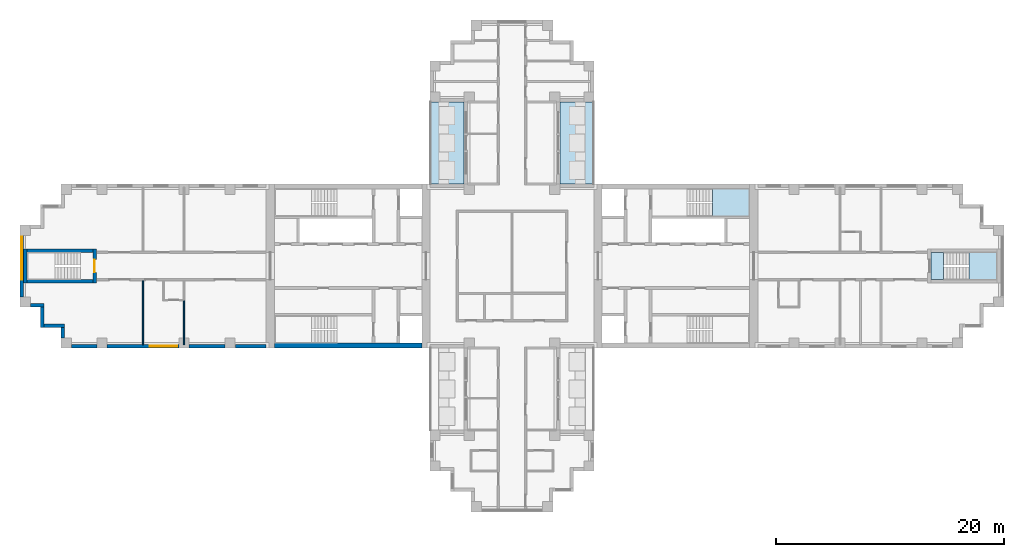
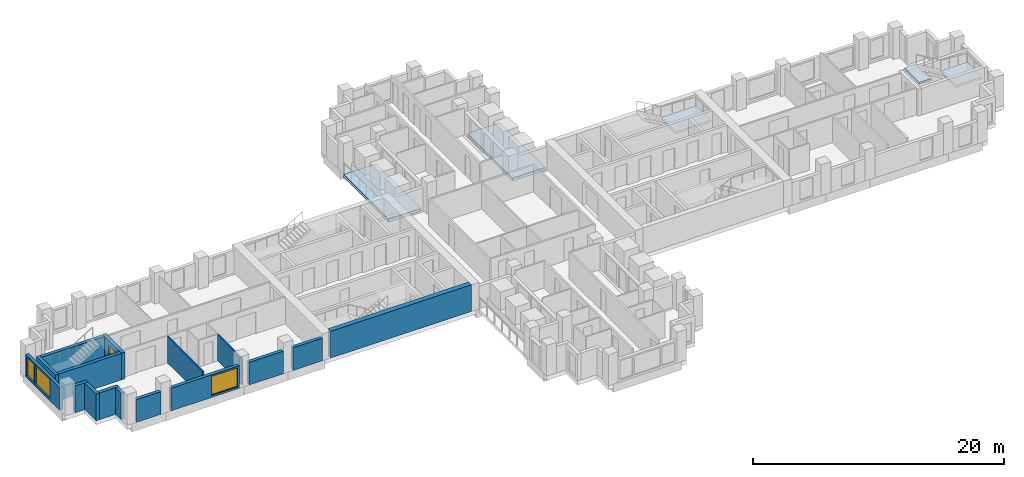
# One storey, part 2 of 12: 16 walls, 5 slabs, 3 windows, 1 door, 4 openings, 2 elements without a shape of their own.
"""IFC4 building model written with IfcOpenShell, lengths in metres."""

from ifc_helpers import new_model, si_unit, direction, frame, frame_2d, origin, place, context, subcontext, project, spatial, polyline, rectangle, outline, extrude, material, layer, layer_set, type_object, element, fill, aggregate, save


model = new_model("IFC4")

# Units and contexts
model_context = context("Model", 3, precision=1e-05, world=origin(), true_north=direction((0.0, 1.0)))
body_context = subcontext(model_context, "Body", "Model", "MODEL_VIEW")
ifc_project = project(units=[si_unit("LENGTHUNIT", "METRE"), si_unit("AREAUNIT", "SQUARE_METRE"), si_unit("VOLUMEUNIT", "CUBIC_METRE"), si_unit("PLANEANGLEUNIT", "RADIAN"), si_unit("MASSUNIT", "GRAM", prefix="KILO")], contexts=[model_context])

# Site, building, storey
site_placement = place(None, origin())
site = spatial("IfcSite", under=ifc_project, at=site_placement, CompositionType="ELEMENT")
building_placement = place(site_placement, origin())
building = spatial("IfcBuilding", under=site, at=building_placement, Name="Fustian Cross Tower", CompositionType="ELEMENT")
storey_placement = place(building_placement, frame((0.0, 0.0, 156.300048828125)))
storey = spatial("IfcBuildingStorey", under=building, at=storey_placement, Name="L49", CompositionType="ELEMENT", Elevation=156.300048828125)

# Slabs
ifc_material_1 = material(Name="Concrete C40/50", Category="concrete")
ifc_layer_1 = layer(ifc_material_1, 0.300048828125)
ifc_layer_set_1 = layer_set([ifc_layer_1], Name="Concrete C40/50")
slab_type_1 = type_object("IfcSlabType", Name="BS1 BALCONY SLAB 300", PredefinedType="FLOOR", material=ifc_layer_set_1)
slab_1_placement = place(storey_placement, frame((0.0, 0.0, -0.300048828125)))
element("IfcSlab", 1, at=slab_1_placement, inside=storey, type_object=slab_type_1, Name="Balcony slab", PredefinedType="FLOOR", context=body_context, shape_type="SweptSolid", body=[
    extrude(outline(polyline([(4.199951171875, 7.199951171875), (7.199951171875, 7.199951171875), (7.199951171875, 14.39990234375), (4.199951171875, 14.39990234375), (4.199951171875, 7.199951171875)])), origin(), (0.0, 0.0, 1.0), 0.300048828125),
])
slab_2_placement = place(storey_placement, frame((0.0, 0.0, -0.300048828125)))
element("IfcSlab", 2, at=slab_2_placement, inside=storey, type_object=slab_type_1, Name="Balcony slab", PredefinedType="FLOOR", context=body_context, shape_type="SweptSolid", body=[
    extrude(outline(polyline([(-7.199951171875, 7.199951171875), (-4.199951171875, 7.199951171875), (-4.199951171875, 14.39990234375), (-7.199951171875, 14.39990234375), (-7.199951171875, 7.199951171875)])), origin(), (0.0, 0.0, 1.0), 0.300048828125),
])

# Stair, slab
ifc_material_2 = material(Name="Concrete C50/60", Category="concrete")
stair_type_1 = type_object("IfcStairType", Name="STAIR 1150 HALF TURN", PredefinedType="HALF_TURN_STAIR", material=ifc_material_2)
stair_1_placement = place(storey_placement, origin())
stair_1 = element("IfcStair", 3, at=stair_1_placement, inside=storey, type_object=stair_type_1, Name="Stair ST1", PredefinedType="HALF_TURN_STAIR")
ifc_material_3 = material(Name="Concrete C50/60", Category="concrete")
ifc_layer_2 = layer(ifc_material_3, 0.199951171875)
ifc_layer_set_2 = layer_set([ifc_layer_2], Name="Concrete C50/60")
slab_type_2 = type_object("IfcSlabType", Name="STAIR LANDING", PredefinedType="LANDING", material=ifc_layer_set_2)
slab_3_placement = place(storey_placement, frame((0.0, 0.0, 1.300048828125)))
slab_3 = element("IfcSlab", 4, at=slab_3_placement, type_object=slab_type_2, Name="ST1 landing 1", PredefinedType="LANDING", context=body_context, shape_type="SweptSolid", body=[
    extrude(outline(polyline([(17.590087890625, 4.39990234375), (20.85009765625, 4.39990234375), (20.85009765625, 6.75), (17.590087890625, 6.75), (17.590087890625, 4.39990234375)])), origin(), (0.0, 0.0, 1.0), 0.199951171875),
])
aggregate(stair_1, [slab_3])

# Stair, slabs
ifc_material_4 = material(Name="Concrete C50/60", Category="concrete")
stair_type_2 = type_object("IfcStairType", Name="STAIR 1100 HALF TURN", PredefinedType="HALF_TURN_STAIR", material=ifc_material_4)
stair_2_placement = place(storey_placement, origin())
stair_2 = element("IfcStair", 5, at=stair_2_placement, inside=storey, type_object=stair_type_2, Name="Stair ST8", PredefinedType="HALF_TURN_STAIR")
slab_4_placement = place(storey_placement, frame((0.0, 0.0, 1.300048828125)))
slab_4 = element("IfcSlab", 6, at=slab_4_placement, type_object=slab_type_2, Name="ST8 landing 1", PredefinedType="LANDING", context=body_context, shape_type="SweptSolid", body=[
    extrude(outline(polyline([(40.139892578125, -1.199951171875), (42.60009765625, -1.199951171875), (42.60009765625, 1.199951171875), (40.139892578125, 1.199951171875), (40.139892578125, -1.199951171875)])), origin(), (0.0, 0.0, 1.0), 0.199951171875),
])
slab_5_placement = place(storey_placement, frame((0.0, 0.0, 2.800048828125)))
slab_5 = element("IfcSlab", 7, at=slab_5_placement, type_object=slab_type_2, Name="ST8 landing 2", PredefinedType="LANDING", context=body_context, shape_type="SweptSolid", body=[
    extrude(outline(polyline([(36.800048828125, -1.199951171875), (37.89990234375, -1.199951171875), (37.89990234375, 1.199951171875), (36.800048828125, 1.199951171875), (36.800048828125, -1.199951171875)])), origin(), (0.0, 0.0, 1.0), 0.199951171875),
])
aggregate(stair_2, [slab_4, slab_5])

# Walls
ifc_material_5 = material(Name="Concrete C60/75", Category="concrete")
ifc_layer_3 = layer(ifc_material_5, 0.449951171875)
ifc_layer_set_3 = layer_set([ifc_layer_3], Name="Concrete C60/75")
wall_type_1 = type_object("IfcWallType", Name="CORE FACADE WALL 450 C60/75", PredefinedType="SHEAR", material=ifc_layer_set_3)
wall_1_placement = place(storey_placement, frame((-7.89990234375, -6.97509765625, 0.0), z_axis=(0.0, 0.0, 1.0), x_axis=(-1.0, 0.0, 0.0)))
element("IfcWall", 8, at=wall_1_placement, inside=storey, type_object=wall_type_1, Name="Core facade wall", PredefinedType="SHEAR", context=body_context, shape_type="SweptSolid", body=[
    extrude(rectangle(XDim=12.9501953125, YDim=0.449951171875, at=frame_2d((6.47509765625, 0.0))), origin(), (0.0, 0.0, 1.0), 2.599853515625),
])
ifc_material_6 = material(Name="Plasterboard on steel stud", Category="steel")
ifc_layer_4 = layer(ifc_material_6, 0.10009765625)
ifc_layer_set_4 = layer_set([ifc_layer_4], Name="Plasterboard on steel stud")
wall_type_2 = type_object("IfcWallType", Name="PARTITION 100 STUD", PredefinedType="PARTITIONING", material=ifc_layer_set_4)
wall_2_placement = place(storey_placement, frame((-32.39990234375, -6.89990234375, 0.0), z_axis=(0.0, 0.0, 1.0), x_axis=(0.0, 1.0, 0.0)))
element("IfcWall", 9, at=wall_2_placement, inside=storey, type_object=wall_type_2, Name="Partition 3", PredefinedType="PARTITIONING", context=body_context, shape_type="SweptSolid", body=[
    extrude(rectangle(XDim=5.625, YDim=0.10009765625, at=frame_2d((2.8125, 0.0))), origin(), (0.0, 0.0, 1.0), 2.599853515625),
])
wall_3_placement = place(storey_placement, frame((-28.800048828125, -6.89990234375, 0.0), z_axis=(0.0, 0.0, 1.0), x_axis=(0.0, 1.0, 0.0)))
element("IfcWall", 10, at=wall_3_placement, inside=storey, type_object=wall_type_2, Name="Partition 7", PredefinedType="PARTITIONING", context=body_context, shape_type="SweptSolid", body=[
    extrude(rectangle(XDim=3.89990234375, YDim=0.10009765625, at=frame_2d((1.949951171875, 0.0))), origin(), (0.0, 0.0, 1.0), 2.599853515625),
])

# Wall, opening, door
ifc_material_7 = material(Name="Concrete C50/60", Category="concrete")
ifc_layer_5 = layer(ifc_material_7, 0.300048828125)
ifc_layer_set_5 = layer_set([ifc_layer_5], Name="Concrete C50/60")
wall_type_3 = type_object("IfcWallType", Name="STAIR ENCLOSURE WALL 300 C50/60", PredefinedType="SHEAR", material=ifc_layer_set_5)
wall_4_placement = place(storey_placement, frame((-36.64990234375, -1.5, 0.0), z_axis=(0.0, 0.0, 1.0), x_axis=(0.0, 1.0, 0.0)))
wall_4 = element("IfcWall", 11, at=wall_4_placement, inside=storey, type_object=wall_type_3, Name="Stair enclosure wall", PredefinedType="SHEAR", context=body_context, shape_type="SweptSolid", body=[
    extrude(rectangle(XDim=3.0, YDim=0.300048828125, at=frame_2d((1.5, 0.0))), origin(), (0.0, 0.0, 1.0), 2.599853515625),
])
opening_1_placement = place(wall_4_placement, frame((0.949951171875, 0.0, 0.0)))
opening_1 = element("IfcOpeningElement", 12, at=opening_1_placement, cuts=wall_4, Name="Opening CD-17-32", PredefinedType="OPENING", context=body_context, shape_type="SweptSolid", body=[
    extrude(rectangle(XDim=1.10009765625, YDim=2.10009765625, at=frame_2d((0.550048828125, 1.050048828125))), frame((0.0, 0.159912109375, 0.0), z_axis=(0.0, -1.0, 0.0), x_axis=(1.0, 0.0, 0.0)), (0.0, 0.0, 1.0), 0.320068359375),
])
ifc_material_8 = material(Name="Steel", Category="steel")
door_type = type_object("IfcDoorType", Name="FIRE DOOR FD60S 1100X2100", OperationType="SINGLE_SWING_LEFT", PredefinedType="DOOR", material=ifc_material_8)
door_placement = place(opening_1_placement, origin())
door = element("IfcDoor", 13, at=door_placement, inside=storey, type_object=door_type, Name="Core door CD-17-32", OperationType="SINGLE_SWING_LEFT", OverallHeight=2.10009765625, OverallWidth=1.10009765625, PredefinedType="DOOR", context=body_context, shape_type="SweptSolid", body=[
    extrude(rectangle(XDim=1.10009765625, YDim=2.10009765625, at=frame_2d((0.550048828125, 1.050048828125))), frame((0.0, 0.02490234375, 0.0), z_axis=(0.0, -1.0, 0.0), x_axis=(1.0, 0.0, 0.0)), (0.0, 0.0, 1.0), 0.050048828125),
])
fill(opening_1, door)

# Walls
wall_5_placement = place(storey_placement, frame((-42.75, -1.5, 0.0), z_axis=(0.0, 0.0, 1.0), x_axis=(0.0, 1.0, 0.0)))
element("IfcWall", 14, at=wall_5_placement, inside=storey, type_object=wall_type_3, Name="Stair enclosure wall", PredefinedType="SHEAR", context=body_context, shape_type="SweptSolid", body=[
    extrude(rectangle(XDim=3.0, YDim=0.300048828125, at=frame_2d((1.5, 0.0))), origin(), (0.0, 0.0, 1.0), 2.599853515625),
])
for number, where, z_axis, x_axis, name in (
    (15, (-36.800048828125, -1.35009765625, 0.0), (0.0, 0.0, 1.0), (-1.0, 0.0, 0.0), "Stair enclosure wall"),
    (16, (-36.800048828125, 1.35009765625, 0.0), (0.0, 0.0, 1.0), (-1.0, 0.0, 0.0), "Stair enclosure wall"),
):
    element("IfcWall", number, at=place(storey_placement, frame(where, z_axis=z_axis, x_axis=x_axis)), inside=storey, type_object=wall_type_3, Name=name, PredefinedType="SHEAR", context=body_context, shape_type="SweptSolid", body=[
        extrude(rectangle(XDim=5.800048828125, YDim=0.300048828125, at=frame_2d((2.89990234375, 0.0))), origin(), (0.0, 0.0, 1.0), 2.599853515625),
    ])

# Wall, openings, windows
ifc_material_9 = material(Name="Dark aluminium cladding on insulated backing wall", Category="aluminium")
ifc_layer_6 = layer(ifc_material_9, 0.300048828125)
ifc_layer_set_6 = layer_set([ifc_layer_6], Name="Dark aluminium cladding on insulated backing wall")
wall_type_4 = type_object("IfcWallType", Name="XW1 EXTERNAL WALL 300", PredefinedType="SOLIDWALL", material=ifc_layer_set_6)
wall_6_placement = place(storey_placement, frame((-43.050048828125, 2.699951171875, 0.0), z_axis=(0.0, 0.0, 1.0), x_axis=(0.0, -1.0, 0.0)))
wall_6 = element("IfcWall", 17, at=wall_6_placement, inside=storey, type_object=wall_type_4, Name="External wall", PredefinedType="SOLIDWALL", context=body_context, shape_type="SweptSolid", body=[
    extrude(rectangle(XDim=5.39990234375, YDim=0.300048828125, at=frame_2d((2.699951171875, 0.0))), origin(), (0.0, 0.0, 1.0), 2.199951171875),
])
opening_2_placement = place(wall_6_placement, frame((1.5, 0.0, 0.199951171875)))
opening_2 = element("IfcOpeningElement", 18, at=opening_2_placement, cuts=wall_6, Name="Opening WN1", PredefinedType="OPENING", context=body_context, shape_type="SweptSolid", body=[
    extrude(rectangle(XDim=2.39990234375, YDim=1.85009765625, at=frame_2d((1.199951171875, 0.925048828125))), frame((0.0, 0.159912109375, 0.0), z_axis=(0.0, -1.0, 0.0), x_axis=(1.0, 0.0, 0.0)), (0.0, 0.0, 1.0), 0.320068359375),
])
opening_3_placement = place(wall_6_placement, frame((0.14990234375, 0.0, 0.199951171875)))
opening_3 = element("IfcOpeningElement", 19, at=opening_3_placement, cuts=wall_6, Name="Opening WN3", PredefinedType="OPENING", context=body_context, shape_type="SweptSolid", body=[
    extrude(rectangle(XDim=1.199951171875, YDim=1.85009765625, at=frame_2d((0.60009765625, 0.925048828125))), frame((0.0, 0.159912109375, 0.0), z_axis=(0.0, -1.0, 0.0), x_axis=(1.0, 0.0, 0.0)), (0.0, 0.0, 1.0), 0.320068359375),
])
ifc_material_10 = material(Name="Dark anodised aluminium and double glazing", Category="aluminium")
window_type_1 = type_object("IfcWindowType", Name="WN1 WINDOW 2400X1850", PartitioningType="SINGLE_PANEL", PredefinedType="WINDOW", material=ifc_material_10)
window_1_placement = place(opening_2_placement, origin())
window_1 = element("IfcWindow", 20, at=window_1_placement, inside=storey, type_object=window_type_1, Name="Window", OverallHeight=1.85009765625, OverallWidth=2.39990234375, PartitioningType="SINGLE_PANEL", PredefinedType="WINDOW", context=body_context, shape_type="SweptSolid", body=[
    extrude(rectangle(XDim=2.39990234375, YDim=1.85009765625, at=frame_2d((1.199951171875, 0.925048828125))), frame((0.0, 0.030029296875, 0.0), z_axis=(0.0, -1.0, 0.0), x_axis=(1.0, 0.0, 0.0)), (0.0, 0.0, 1.0), 0.06005859375),
])
fill(opening_2, window_1)
ifc_material_11 = material(Name="Dark anodised aluminium and double glazing", Category="aluminium")
window_type_2 = type_object("IfcWindowType", Name="WN3 WINDOW 1200X1850", PartitioningType="SINGLE_PANEL", PredefinedType="WINDOW", material=ifc_material_11)
window_2_placement = place(opening_3_placement, origin())
window_2 = element("IfcWindow", 21, at=window_2_placement, inside=storey, type_object=window_type_2, Name="Window", OverallHeight=1.85009765625, OverallWidth=1.199951171875, PartitioningType="SINGLE_PANEL", PredefinedType="WINDOW", context=body_context, shape_type="SweptSolid", body=[
    extrude(rectangle(XDim=1.199951171875, YDim=1.85009765625, at=frame_2d((0.60009765625, 0.925048828125))), frame((0.0, 0.030029296875, 0.0), z_axis=(0.0, -1.0, 0.0), x_axis=(1.0, 0.0, 0.0)), (0.0, 0.0, 1.0), 0.06005859375),
])
fill(opening_3, window_2)

# Walls
wall_7_placement = place(storey_placement, frame((-42.300048828125, -3.449951171875, 0.0), z_axis=(0.0, 0.0, 1.0), x_axis=(1.0, 0.0, 0.0)))
element("IfcWall", 22, at=wall_7_placement, inside=storey, type_object=wall_type_4, Name="External wall", PredefinedType="SOLIDWALL", context=body_context, shape_type="SweptSolid", body=[
    extrude(rectangle(XDim=1.199951171875, YDim=0.300048828125, at=frame_2d((0.60009765625, 0.0))), origin(), (0.0, 0.0, 1.0), 2.599853515625),
])
wall_8_placement = place(storey_placement, frame((-41.25, -3.60009765625, 0.0), z_axis=(0.0, 0.0, 1.0), x_axis=(0.0, -1.0, 0.0)))
element("IfcWall", 23, at=wall_8_placement, inside=storey, type_object=wall_type_4, Name="External wall", PredefinedType="SOLIDWALL", context=body_context, shape_type="SweptSolid", body=[
    extrude(rectangle(XDim=1.7998046875, YDim=0.300048828125, at=frame_2d((0.89990234375, 0.0))), origin(), (0.0, 0.0, 1.0), 2.599853515625),
])
wall_9_placement = place(storey_placement, frame((-41.10009765625, -5.25, 0.0), z_axis=(0.0, 0.0, 1.0), x_axis=(1.0, 0.0, 0.0)))
element("IfcWall", 24, at=wall_9_placement, inside=storey, type_object=wall_type_4, Name="External wall", PredefinedType="SOLIDWALL", context=body_context, shape_type="SweptSolid", body=[
    extrude(rectangle(XDim=1.800048828125, YDim=0.300048828125, at=frame_2d((0.89990234375, 0.0))), origin(), (0.0, 0.0, 1.0), 2.599853515625),
])
wall_10_placement = place(storey_placement, frame((-39.449951171875, -5.39990234375, 0.0), z_axis=(0.0, 0.0, 1.0), x_axis=(0.0, -1.0, 0.0)))
element("IfcWall", 25, at=wall_10_placement, inside=storey, type_object=wall_type_4, Name="External wall", PredefinedType="SOLIDWALL", context=body_context, shape_type="SweptSolid", body=[
    extrude(rectangle(XDim=0.900146484375, YDim=0.300048828125, at=frame_2d((0.4501953125, 0.0))), origin(), (0.0, 0.0, 1.0), 2.599853515625),
])
wall_11_placement = place(storey_placement, frame((-38.699951171875, -7.050048828125, 0.0), z_axis=(0.0, 0.0, 1.0), x_axis=(1.0, 0.0, 0.0)))
element("IfcWall", 26, at=wall_11_placement, inside=storey, type_object=wall_type_4, Name="External wall", PredefinedType="SOLIDWALL", context=body_context, shape_type="SweptSolid", body=[
    extrude(rectangle(XDim=2.25, YDim=0.300048828125, at=frame_2d((1.125, 0.0))), origin(), (0.0, 0.0, 1.0), 2.199951171875),
])

# Wall, opening, window
wall_12_placement = place(storey_placement, frame((-35.550048828125, -7.050048828125, 0.0), z_axis=(0.0, 0.0, 1.0), x_axis=(1.0, 0.0, 0.0)))
wall_12 = element("IfcWall", 27, at=wall_12_placement, inside=storey, type_object=wall_type_4, Name="External wall", PredefinedType="SOLIDWALL", context=body_context, shape_type="SweptSolid", body=[
    extrude(rectangle(XDim=6.300048828125, YDim=0.300048828125, at=frame_2d((3.14990234375, 0.0))), origin(), (0.0, 0.0, 1.0), 2.199951171875),
])
opening_4_placement = place(wall_12_placement, frame((3.75, 0.0, 0.199951171875)))
opening_4 = element("IfcOpeningElement", 28, at=opening_4_placement, cuts=wall_12, Name="Opening WN1", PredefinedType="OPENING", context=body_context, shape_type="SweptSolid", body=[
    extrude(rectangle(XDim=2.39990234375, YDim=1.85009765625, at=frame_2d((1.199951171875, 0.925048828125))), frame((0.0, 0.159912109375, 0.0), z_axis=(0.0, -1.0, 0.0), x_axis=(1.0, 0.0, 0.0)), (0.0, 0.0, 1.0), 0.320068359375),
])
window_3_placement = place(opening_4_placement, origin())
window_3 = element("IfcWindow", 29, at=window_3_placement, inside=storey, type_object=window_type_1, Name="Window", OverallHeight=1.85009765625, OverallWidth=2.39990234375, PartitioningType="SINGLE_PANEL", PredefinedType="WINDOW", context=body_context, shape_type="SweptSolid", body=[
    extrude(rectangle(XDim=2.39990234375, YDim=1.85009765625, at=frame_2d((1.199951171875, 0.925048828125))), frame((0.0, 0.030029296875, 0.0), z_axis=(0.0, -1.0, 0.0), x_axis=(1.0, 0.0, 0.0)), (0.0, 0.0, 1.0), 0.06005859375),
])
fill(opening_4, window_3)

# Walls
wall_13_placement = place(storey_placement, frame((-28.35009765625, -7.050048828125, 0.0), z_axis=(0.0, 0.0, 1.0), x_axis=(1.0, 0.0, 0.0)))
element("IfcWall", 30, at=wall_13_placement, inside=storey, type_object=wall_type_4, Name="External wall", PredefinedType="SOLIDWALL", context=body_context, shape_type="SweptSolid", body=[
    extrude(rectangle(XDim=3.150146484375, YDim=0.300048828125, at=frame_2d((1.5751953125, 0.0))), origin(), (0.0, 0.0, 1.0), 2.199951171875),
])
wall_14_placement = place(storey_placement, frame((-24.300048828125, -7.050048828125, 0.0), z_axis=(0.0, 0.0, 1.0), x_axis=(1.0, 0.0, 0.0)))
element("IfcWall", 31, at=wall_14_placement, inside=storey, type_object=wall_type_4, Name="External wall", PredefinedType="SOLIDWALL", context=body_context, shape_type="SweptSolid", body=[
    extrude(rectangle(XDim=2.699951171875, YDim=0.300048828125, at=frame_2d((1.35009765625, 0.0))), origin(), (0.0, 0.0, 1.0), 2.199951171875),
])

save(model, "model.ifc")
